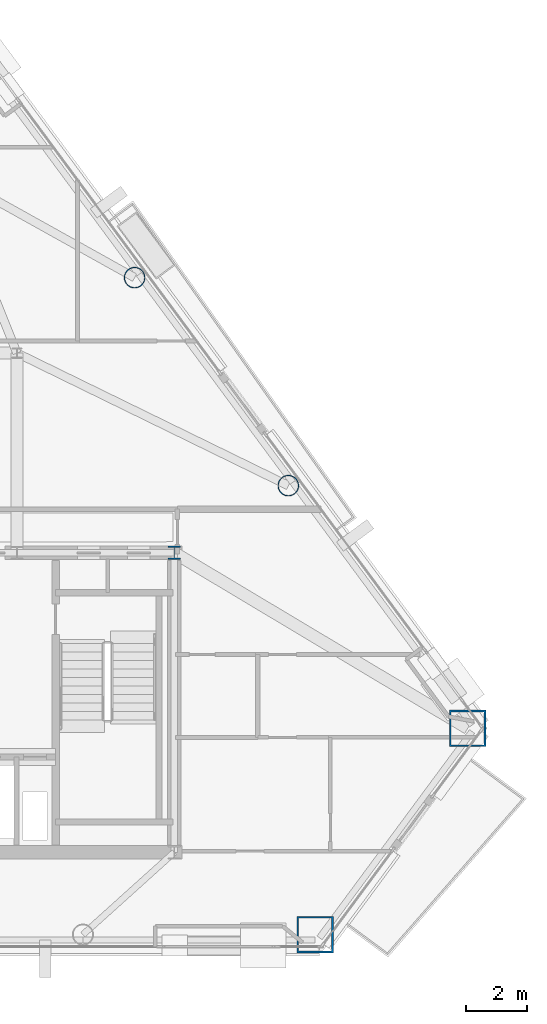
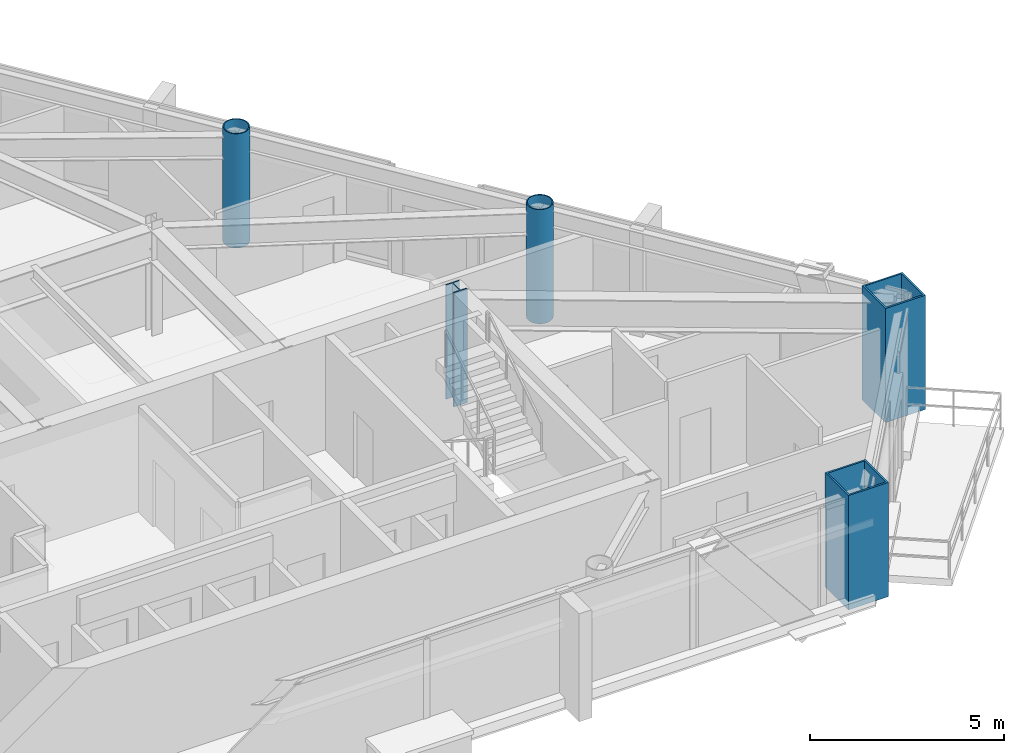
# One storey, part 2 of 13: 5 columns.
"""IFC4 building model written with IfcOpenShell, lengths in metres."""

from ifc_helpers import new_model, si_unit, direction, frame, origin, origin_2d, place, context, subcontext, project, spatial, hollow_rectangle, hollow_circle, i_section, extrude, material, material_profile, profile_set, type_object, element, save


model = new_model("IFC4")

# Units and contexts
model_context = context("Model", 3, precision=1e-05, world=origin(), true_north=direction((0.0, 1.0)))
body_context = subcontext(model_context, "Body", "Model", "MODEL_VIEW")
ifc_project = project(units=[si_unit("LENGTHUNIT", "METRE"), si_unit("AREAUNIT", "SQUARE_METRE"), si_unit("VOLUMEUNIT", "CUBIC_METRE"), si_unit("PLANEANGLEUNIT", "RADIAN"), si_unit("MASSUNIT", "GRAM", prefix="KILO")], contexts=[model_context])

# Site, building, storey
site_placement = place(None, origin())
site = spatial("IfcSite", under=ifc_project, at=site_placement, CompositionType="ELEMENT")
building_placement = place(site_placement, origin())
building = spatial("IfcBuilding", under=site, at=building_placement, Name="Talgorran Terracotta Tower", CompositionType="ELEMENT")
storey_placement = place(building_placement, frame((0.0, 0.0, 132.89990234375)))
storey = spatial("IfcBuildingStorey", under=building, at=storey_placement, Name="L34", CompositionType="ELEMENT", Elevation=132.89990234375)

# Columns
ifc_material_1 = material(Name="Steel S355 (300PLUS)", Category="steel")
ifc_material_profile_1 = material_profile(ifc_material_1, i_section(OverallWidth=0.39990234375, OverallDepth=0.43994140625, WebThickness=0.028076171875, FlangeThickness=0.0400390625, at=origin_2d()), Name="400WC328")
ifc_profile_set_1 = profile_set([ifc_material_profile_1], Name="Steel S355 (300PLUS)")
column_type_1 = type_object("IfcColumnType", Name="COL_400WC328", PredefinedType="COLUMN", material=ifc_profile_set_1)
column_placement = place(storey_placement, frame((12.39990234375, -4.199951171875, 0.0), z_axis=(0.0, 0.0, 1.0), x_axis=(1.0, 0.0, 0.0)))
element("IfcColumn", 1, at=column_placement, inside=storey, type_object=column_type_1, Name="L34 Core Boundary Column CC3", PredefinedType="COLUMN", context=body_context, shape_type="SweptSolid", body=[
    extrude(i_section(OverallWidth=0.39990234375, OverallDepth=0.43994140625, WebThickness=0.028076171875, FlangeThickness=0.0400390625, at=origin_2d()), origin(), (0.0, 0.0, 1.0), 3.60009765625),
])
ifc_material_2 = material(Name="Steel Grade 350 (350L0)", Category="steel")
ifc_material_profile_2 = material_profile(ifc_material_2, hollow_rectangle(XDim=1.199951171875, YDim=1.199951171875, WallThickness=0.054931640625, at=origin_2d()), Name="CFT1200X1200X55")
ifc_profile_set_2 = profile_set([ifc_material_profile_2], Name="Steel Grade 350 (350L0)")
column_type_2 = type_object("IfcColumnType", Name="COL_CFT_1200", PredefinedType="COLUMN", material=ifc_profile_set_2)
for number, where, z_axis, x_axis, name in (
    (2, (17.056884765625, -16.81884765625, 0.0), (0.0, 0.0, 1.0), (1.0, 0.0, 0.0), "L34 Corner CFT Mega-Column MC3"),
    (3, (22.09619140625, -10.000244140625, 0.0), (0.0, 0.0, 1.0), (1.0, 0.0, 0.0), "L34 Corner CFT Mega-Column MC4"),
):
    element("IfcColumn", number, at=place(storey_placement, frame(where, z_axis=z_axis, x_axis=x_axis)), inside=storey, type_object=column_type_2, Name=name, PredefinedType="COLUMN", context=body_context, shape_type="SweptSolid", body=[
        extrude(hollow_rectangle(XDim=1.199951171875, YDim=1.199951171875, WallThickness=0.054931640625, at=origin_2d()), origin(), (0.0, 0.0, 1.0), 3.60009765625),
    ])
ifc_material_profile_3 = material_profile(ifc_material_2, hollow_circle(Radius=0.35009765625, WallThickness=0.030029296875, at=origin_2d()), Name="CHS700X30")
ifc_profile_set_3 = profile_set([ifc_material_profile_3], Name="Steel Grade 350 (350L0)")
column_type_3 = type_object("IfcColumnType", Name="COL_CHS_700", PredefinedType="COLUMN", material=ifc_profile_set_3)
for number, where, z_axis, x_axis, name in (
    (4, (16.169189453125, -1.98046875, 0.0), (0.0, 0.0, 1.0), (1.0, 0.0, 0.0), "L34 Facet Perimeter Column FC3"),
    (5, (11.088623046875, 4.893798828125, 0.0), (0.0, 0.0, 1.0), (1.0, 0.0, 0.0), "L34 Facet Perimeter Column FC4"),
):
    element("IfcColumn", number, at=place(storey_placement, frame(where, z_axis=z_axis, x_axis=x_axis)), inside=storey, type_object=column_type_3, Name=name, PredefinedType="COLUMN", context=body_context, shape_type="SweptSolid", body=[
        extrude(hollow_circle(Radius=0.35009765625, WallThickness=0.030029296875, at=origin_2d()), origin(), (0.0, 0.0, 1.0), 3.60009765625),
    ])

save(model, "model.ifc")
